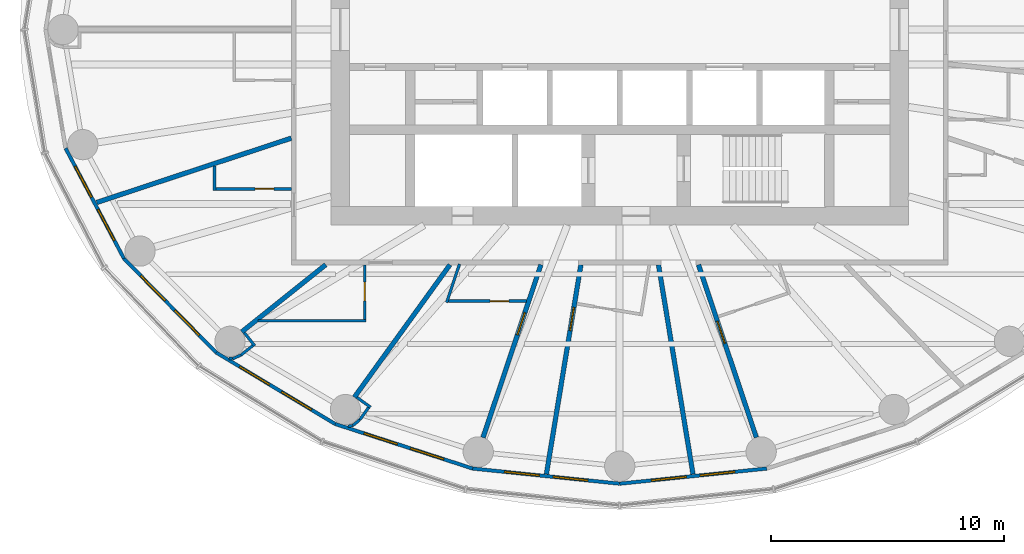
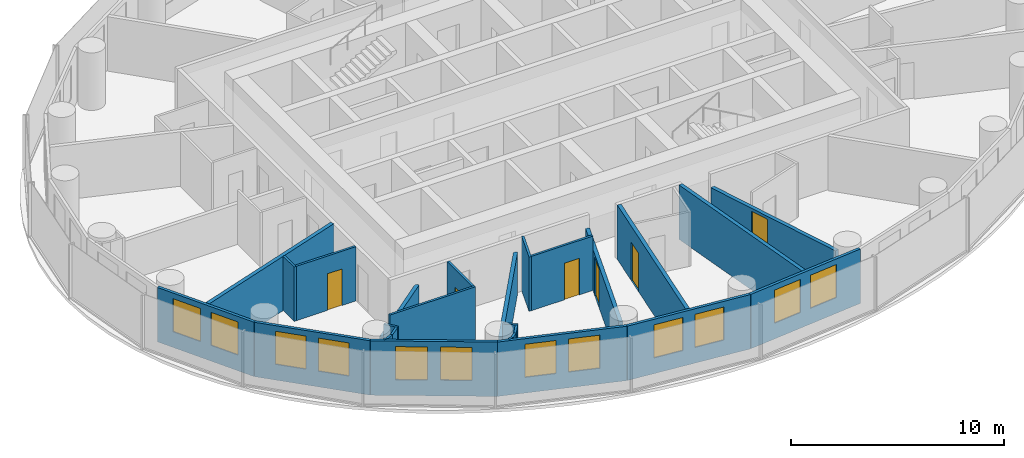
# One storey, part 6 of 13: 27 walls, 12 windows, 6 doors, 18 openings.
"""IFC4 building model written with IfcOpenShell, lengths in metres."""

from ifc_helpers import new_model, si_unit, direction, frame, frame_2d, origin, place, context, subcontext, project, spatial, rectangle, extrude, material, layer, layer_set, type_object, element, fill, save


model = new_model("IFC4")

# Units and contexts
model_context = context("Model", 3, precision=1e-05, world=origin(), true_north=direction((0.0, 1.0)))
body_context = subcontext(model_context, "Body", "Model", "MODEL_VIEW")
ifc_project = project(units=[si_unit("LENGTHUNIT", "METRE"), si_unit("AREAUNIT", "SQUARE_METRE"), si_unit("VOLUMEUNIT", "CUBIC_METRE"), si_unit("PLANEANGLEUNIT", "RADIAN"), si_unit("MASSUNIT", "GRAM", prefix="KILO")], contexts=[model_context])

# Site, building, storey
site_placement = place(None, origin())
site = spatial("IfcSite", under=ifc_project, at=site_placement, CompositionType="ELEMENT")
building_placement = place(site_placement, origin())
building = spatial("IfcBuilding", under=site, at=building_placement, Name="Hankou Lantern Tower", CompositionType="ELEMENT")
storey_placement = place(building_placement, frame((0.0, 0.0, 118.800048828125)))
storey = spatial("IfcBuildingStorey", under=building, at=storey_placement, Name="L30", CompositionType="ELEMENT", Elevation=118.800048828125)

# Wall, openings, windows
ifc_material_1 = material(Name="Aluminium spandrel panel on steel studs", Category="steel")
ifc_layer_1 = layer(ifc_material_1, 0.14990234375)
ifc_layer_set_1 = layer_set([ifc_layer_1], Name="Aluminium spandrel panel on steel studs")
wall_type_1 = type_object("IfcWallType", Name="EW1 INNER SKIN WALL 150", PredefinedType="ELEMENTEDWALL", material=ifc_layer_set_1)
wall_1_placement = place(storey_placement, frame((-23.7919921875, -5.10009765625, 0.0), z_axis=(0.0, 0.0, 1.0), x_axis=(0.467814388454, -0.883826735257, 0.0)))
wall_1 = element("IfcWall", 1, at=wall_1_placement, inside=storey, type_object=wall_type_1, Name="Inner skin R14-R15 L30", PredefinedType="ELEMENTEDWALL", context=body_context, shape_type="SweptSolid", body=[
    extrude(rectangle(XDim=5.35400390625, YDim=0.14990234375, at=frame_2d((2.677001953125, 0.0))), origin(), (0.0, 0.0, 1.0), 3.119873046875),
])
opening_1_placement = place(wall_1_placement, frame((0.876953125, 0.0, 0.89990234375)))
opening_1 = element("IfcOpeningElement", 2, at=opening_1_placement, cuts=wall_1, Name="Opening W2", PredefinedType="OPENING", context=body_context, shape_type="SweptSolid", body=[
    extrude(rectangle(XDim=1.5, YDim=1.89990234375, at=frame_2d((0.75, 0.949951171875))), frame((0.0, 0.0849609375, 0.0), z_axis=(0.0, -1.0, 0.0), x_axis=(1.0, 0.0, 0.0)), (0.0, 0.0, 1.0), 0.169921875),
])
opening_2_placement = place(wall_1_placement, frame((2.97705078125, 0.0, 0.89990234375)))
opening_2 = element("IfcOpeningElement", 3, at=opening_2_placement, cuts=wall_1, Name="Opening W2", PredefinedType="OPENING", context=body_context, shape_type="SweptSolid", body=[
    extrude(rectangle(XDim=1.5, YDim=1.89990234375, at=frame_2d((0.75, 0.949951171875))), frame((0.0, 0.0849609375, 0.0), z_axis=(0.0, -1.0, 0.0), x_axis=(1.0, 0.0, 0.0)), (0.0, 0.0, 1.0), 0.169921875),
])
ifc_material_2 = material(Name="Aluminium framed double glazed window", Category="aluminium")
window_type = type_object("IfcWindowType", Name="W2 GUEST ROOM WINDOW 1500X1900", PartitioningType="DOUBLE_PANEL_VERTICAL", PredefinedType="WINDOW", material=ifc_material_2)
window_1_placement = place(opening_1_placement, origin())
window_1 = element("IfcWindow", 4, at=window_1_placement, inside=storey, type_object=window_type, Name="Window R14.1 L30", OverallHeight=1.89990234375, OverallWidth=1.5, PartitioningType="SINGLE_PANEL", PredefinedType="WINDOW", context=body_context, shape_type="SweptSolid", body=[
    extrude(rectangle(XDim=1.5, YDim=1.89990234375, at=frame_2d((0.75, 0.949951171875))), frame((0.0, 0.030029296875, 0.0), z_axis=(0.0, -1.0, 0.0), x_axis=(1.0, 0.0, 0.0)), (0.0, 0.0, 1.0), 0.06005859375),
])
fill(opening_1, window_1)
window_2_placement = place(opening_2_placement, origin())
window_2 = element("IfcWindow", 5, at=window_2_placement, inside=storey, type_object=window_type, Name="Window R14.2 L30", OverallHeight=1.89990234375, OverallWidth=1.5, PartitioningType="SINGLE_PANEL", PredefinedType="WINDOW", context=body_context, shape_type="SweptSolid", body=[
    extrude(rectangle(XDim=1.5, YDim=1.89990234375, at=frame_2d((0.75, 0.949951171875))), frame((0.0, 0.030029296875, 0.0), z_axis=(0.0, -1.0, 0.0), x_axis=(1.0, 0.0, 0.0)), (0.0, 0.0, 1.0), 0.06005859375),
])
fill(opening_2, window_2)

wall_2_placement = place(storey_placement, frame((-21.287353515625, -9.83203125, 0.0), z_axis=(0.0, 0.0, 1.0), x_axis=(0.700136650834, -0.714008872605, 0.0)))
wall_2 = element("IfcWall", 6, at=wall_2_placement, inside=storey, type_object=wall_type_1, Name="Inner skin R15-R16 L30", PredefinedType="ELEMENTEDWALL", context=body_context, shape_type="SweptSolid", body=[
    extrude(rectangle(XDim=5.6494140625, YDim=0.14990234375, at=frame_2d((2.82470703125, 0.0))), origin(), (0.0, 0.0, 1.0), 3.119873046875),
])
opening_3_placement = place(wall_2_placement, frame((1.024658203125, 0.0, 0.89990234375)))
opening_3 = element("IfcOpeningElement", 7, at=opening_3_placement, cuts=wall_2, Name="Opening W2", PredefinedType="OPENING", context=body_context, shape_type="SweptSolid", body=[
    extrude(rectangle(XDim=1.5, YDim=1.89990234375, at=frame_2d((0.75, 0.949951171875))), frame((0.0, 0.0849609375, 0.0), z_axis=(0.0, -1.0, 0.0), x_axis=(1.0, 0.0, 0.0)), (0.0, 0.0, 1.0), 0.169921875),
])
opening_4_placement = place(wall_2_placement, frame((3.12451171875, 0.0, 0.89990234375)))
opening_4 = element("IfcOpeningElement", 8, at=opening_4_placement, cuts=wall_2, Name="Opening W2", PredefinedType="OPENING", context=body_context, shape_type="SweptSolid", body=[
    extrude(rectangle(XDim=1.5, YDim=1.89990234375, at=frame_2d((0.75, 0.949951171875))), frame((0.0, 0.0849609375, 0.0), z_axis=(0.0, -1.0, 0.0), x_axis=(1.0, 0.0, 0.0)), (0.0, 0.0, 1.0), 0.169921875),
])
window_3_placement = place(opening_3_placement, origin())
window_3 = element("IfcWindow", 9, at=window_3_placement, inside=storey, type_object=window_type, Name="Window R15.1 L30", OverallHeight=1.89990234375, OverallWidth=1.5, PartitioningType="SINGLE_PANEL", PredefinedType="WINDOW", context=body_context, shape_type="SweptSolid", body=[
    extrude(rectangle(XDim=1.5, YDim=1.89990234375, at=frame_2d((0.75, 0.949951171875))), frame((0.0, 0.030029296875, 0.0), z_axis=(0.0, -1.0, 0.0), x_axis=(1.0, 0.0, 0.0)), (0.0, 0.0, 1.0), 0.06005859375),
])
fill(opening_3, window_3)
window_4_placement = place(opening_4_placement, origin())
window_4 = element("IfcWindow", 10, at=window_4_placement, inside=storey, type_object=window_type, Name="Window R15.2 L30", OverallHeight=1.89990234375, OverallWidth=1.5, PartitioningType="SINGLE_PANEL", PredefinedType="WINDOW", context=body_context, shape_type="SweptSolid", body=[
    extrude(rectangle(XDim=1.5, YDim=1.89990234375, at=frame_2d((0.75, 0.949951171875))), frame((0.0, 0.030029296875, 0.0), z_axis=(0.0, -1.0, 0.0), x_axis=(1.0, 0.0, 0.0)), (0.0, 0.0, 1.0), 0.06005859375),
])
fill(opening_4, window_4)

wall_3_placement = place(storey_placement, frame((-17.33203125, -13.86572265625, 0.0), z_axis=(0.0, 0.0, 1.0), x_axis=(0.857308573723, -0.514802884044, 0.0)))
wall_3 = element("IfcWall", 11, at=wall_3_placement, inside=storey, type_object=wall_type_1, Name="Inner skin R16-R17 L30", PredefinedType="ELEMENTEDWALL", context=body_context, shape_type="SweptSolid", body=[
    extrude(rectangle(XDim=5.961181640625, YDim=0.14990234375, at=frame_2d((2.98046875, 0.0))), origin(), (0.0, 0.0, 1.0), 3.119873046875),
])
opening_5_placement = place(wall_3_placement, frame((1.1806640625, 0.0, 0.89990234375)))
opening_5 = element("IfcOpeningElement", 12, at=opening_5_placement, cuts=wall_3, Name="Opening W2", PredefinedType="OPENING", context=body_context, shape_type="SweptSolid", body=[
    extrude(rectangle(XDim=1.5, YDim=1.89990234375, at=frame_2d((0.75, 0.949951171875))), frame((0.0, 0.0849609375, 0.0), z_axis=(0.0, -1.0, 0.0), x_axis=(1.0, 0.0, 0.0)), (0.0, 0.0, 1.0), 0.169921875),
])
opening_6_placement = place(wall_3_placement, frame((3.280517578125, 0.0, 0.89990234375)))
opening_6 = element("IfcOpeningElement", 13, at=opening_6_placement, cuts=wall_3, Name="Opening W2", PredefinedType="OPENING", context=body_context, shape_type="SweptSolid", body=[
    extrude(rectangle(XDim=1.5, YDim=1.89990234375, at=frame_2d((0.75, 0.949951171875))), frame((0.0, 0.0849609375, 0.0), z_axis=(0.0, -1.0, 0.0), x_axis=(1.0, 0.0, 0.0)), (0.0, 0.0, 1.0), 0.169921875),
])
window_5_placement = place(opening_5_placement, origin())
window_5 = element("IfcWindow", 14, at=window_5_placement, inside=storey, type_object=window_type, Name="Window R16.1 L30", OverallHeight=1.89990234375, OverallWidth=1.5, PartitioningType="SINGLE_PANEL", PredefinedType="WINDOW", context=body_context, shape_type="SweptSolid", body=[
    extrude(rectangle(XDim=1.5, YDim=1.89990234375, at=frame_2d((0.75, 0.949951171875))), frame((0.0, 0.030029296875, 0.0), z_axis=(0.0, -1.0, 0.0), x_axis=(1.0, 0.0, 0.0)), (0.0, 0.0, 1.0), 0.06005859375),
])
fill(opening_5, window_5)
window_6_placement = place(opening_6_placement, origin())
window_6 = element("IfcWindow", 15, at=window_6_placement, inside=storey, type_object=window_type, Name="Window R16.2 L30", OverallHeight=1.89990234375, OverallWidth=1.5, PartitioningType="SINGLE_PANEL", PredefinedType="WINDOW", context=body_context, shape_type="SweptSolid", body=[
    extrude(rectangle(XDim=1.5, YDim=1.89990234375, at=frame_2d((0.75, 0.949951171875))), frame((0.0, 0.030029296875, 0.0), z_axis=(0.0, -1.0, 0.0), x_axis=(1.0, 0.0, 0.0)), (0.0, 0.0, 1.0), 0.06005859375),
])
fill(opening_6, window_6)

wall_4_placement = place(storey_placement, frame((-12.221435546875, -16.9345703125, 0.0), z_axis=(0.0, 0.0, 1.0), x_axis=(0.951272691506, -0.308350881944, 0.0)))
wall_4 = element("IfcWall", 16, at=wall_4_placement, inside=storey, type_object=wall_type_1, Name="Inner skin R17-R18 L30", PredefinedType="ELEMENTEDWALL", context=body_context, shape_type="SweptSolid", body=[
    extrude(rectangle(XDim=6.210693359375, YDim=0.14990234375, at=frame_2d((3.10546875, 0.0))), origin(), (0.0, 0.0, 1.0), 3.119873046875),
])
opening_7_placement = place(wall_4_placement, frame((1.305419921875, 0.0, 0.89990234375)))
opening_7 = element("IfcOpeningElement", 17, at=opening_7_placement, cuts=wall_4, Name="Opening W2", PredefinedType="OPENING", context=body_context, shape_type="SweptSolid", body=[
    extrude(rectangle(XDim=1.5, YDim=1.89990234375, at=frame_2d((0.75, 0.949951171875))), frame((0.0, 0.0849609375, 0.0), z_axis=(0.0, -1.0, 0.0), x_axis=(1.0, 0.0, 0.0)), (0.0, 0.0, 1.0), 0.169921875),
])
opening_8_placement = place(wall_4_placement, frame((3.4052734375, 0.0, 0.89990234375)))
opening_8 = element("IfcOpeningElement", 18, at=opening_8_placement, cuts=wall_4, Name="Opening W2", PredefinedType="OPENING", context=body_context, shape_type="SweptSolid", body=[
    extrude(rectangle(XDim=1.5, YDim=1.89990234375, at=frame_2d((0.75, 0.949951171875))), frame((0.0, 0.0849609375, 0.0), z_axis=(0.0, -1.0, 0.0), x_axis=(1.0, 0.0, 0.0)), (0.0, 0.0, 1.0), 0.169921875),
])
window_7_placement = place(opening_7_placement, origin())
window_7 = element("IfcWindow", 19, at=window_7_placement, inside=storey, type_object=window_type, Name="Window R17.1 L30", OverallHeight=1.89990234375, OverallWidth=1.5, PartitioningType="SINGLE_PANEL", PredefinedType="WINDOW", context=body_context, shape_type="SweptSolid", body=[
    extrude(rectangle(XDim=1.5, YDim=1.89990234375, at=frame_2d((0.75, 0.949951171875))), frame((0.0, 0.030029296875, 0.0), z_axis=(0.0, -1.0, 0.0), x_axis=(1.0, 0.0, 0.0)), (0.0, 0.0, 1.0), 0.06005859375),
])
fill(opening_7, window_7)
window_8_placement = place(opening_8_placement, origin())
window_8 = element("IfcWindow", 20, at=window_8_placement, inside=storey, type_object=window_type, Name="Window R17.2 L30", OverallHeight=1.89990234375, OverallWidth=1.5, PartitioningType="SINGLE_PANEL", PredefinedType="WINDOW", context=body_context, shape_type="SweptSolid", body=[
    extrude(rectangle(XDim=1.5, YDim=1.89990234375, at=frame_2d((0.75, 0.949951171875))), frame((0.0, 0.030029296875, 0.0), z_axis=(0.0, -1.0, 0.0), x_axis=(1.0, 0.0, 0.0)), (0.0, 0.0, 1.0), 0.06005859375),
])
fill(opening_8, window_8)

wall_5_placement = place(storey_placement, frame((-6.3134765625, -18.849609375, 0.0), z_axis=(0.0, 0.0, 1.0), x_axis=(0.994735690163, -0.102473931887, 0.0)))
wall_5 = element("IfcWall", 21, at=wall_5_placement, inside=storey, type_object=wall_type_1, Name="Inner skin R18-R19 L30", PredefinedType="ELEMENTEDWALL", context=body_context, shape_type="SweptSolid", body=[
    extrude(rectangle(XDim=6.346923828125, YDim=0.14990234375, at=frame_2d((3.17333984375, 0.0))), origin(), (0.0, 0.0, 1.0), 3.119873046875),
])
opening_9_placement = place(wall_5_placement, frame((1.373291015625, 0.0, 0.89990234375)))
opening_9 = element("IfcOpeningElement", 22, at=opening_9_placement, cuts=wall_5, Name="Opening W2", PredefinedType="OPENING", context=body_context, shape_type="SweptSolid", body=[
    extrude(rectangle(XDim=1.5, YDim=1.89990234375, at=frame_2d((0.75, 0.949951171875))), frame((0.0, 0.0849609375, 0.0), z_axis=(0.0, -1.0, 0.0), x_axis=(1.0, 0.0, 0.0)), (0.0, 0.0, 1.0), 0.169921875),
])
opening_10_placement = place(wall_5_placement, frame((3.473388671875, 0.0, 0.89990234375)))
opening_10 = element("IfcOpeningElement", 23, at=opening_10_placement, cuts=wall_5, Name="Opening W2", PredefinedType="OPENING", context=body_context, shape_type="SweptSolid", body=[
    extrude(rectangle(XDim=1.5, YDim=1.89990234375, at=frame_2d((0.75, 0.949951171875))), frame((0.0, 0.0849609375, 0.0), z_axis=(0.0, -1.0, 0.0), x_axis=(1.0, 0.0, 0.0)), (0.0, 0.0, 1.0), 0.169921875),
])
window_9_placement = place(opening_9_placement, origin())
window_9 = element("IfcWindow", 24, at=window_9_placement, inside=storey, type_object=window_type, Name="Window R18.1 L30", OverallHeight=1.89990234375, OverallWidth=1.5, PartitioningType="SINGLE_PANEL", PredefinedType="WINDOW", context=body_context, shape_type="SweptSolid", body=[
    extrude(rectangle(XDim=1.5, YDim=1.89990234375, at=frame_2d((0.75, 0.949951171875))), frame((0.0, 0.030029296875, 0.0), z_axis=(0.0, -1.0, 0.0), x_axis=(1.0, 0.0, 0.0)), (0.0, 0.0, 1.0), 0.06005859375),
])
fill(opening_9, window_9)
window_10_placement = place(opening_10_placement, origin())
window_10 = element("IfcWindow", 25, at=window_10_placement, inside=storey, type_object=window_type, Name="Window R18.2 L30", OverallHeight=1.89990234375, OverallWidth=1.5, PartitioningType="SINGLE_PANEL", PredefinedType="WINDOW", context=body_context, shape_type="SweptSolid", body=[
    extrude(rectangle(XDim=1.5, YDim=1.89990234375, at=frame_2d((0.75, 0.949951171875))), frame((0.0, 0.030029296875, 0.0), z_axis=(0.0, -1.0, 0.0), x_axis=(1.0, 0.0, 0.0)), (0.0, 0.0, 1.0), 0.06005859375),
])
fill(opening_10, window_10)

wall_6_placement = place(storey_placement, frame((0.0, -19.5, 0.0), z_axis=(0.0, 0.0, 1.0), x_axis=(0.994735690163, 0.102473931887, 0.0)))
wall_6 = element("IfcWall", 26, at=wall_6_placement, inside=storey, type_object=wall_type_1, Name="Inner skin R19-R20 L30", PredefinedType="ELEMENTEDWALL", context=body_context, shape_type="SweptSolid", body=[
    extrude(rectangle(XDim=6.346923828125, YDim=0.14990234375, at=frame_2d((3.17333984375, 0.0))), origin(), (0.0, 0.0, 1.0), 3.119873046875),
])
opening_11_placement = place(wall_6_placement, frame((1.373291015625, 0.0, 0.89990234375)))
opening_11 = element("IfcOpeningElement", 27, at=opening_11_placement, cuts=wall_6, Name="Opening W2", PredefinedType="OPENING", context=body_context, shape_type="SweptSolid", body=[
    extrude(rectangle(XDim=1.5, YDim=1.89990234375, at=frame_2d((0.75, 0.949951171875))), frame((0.0, 0.0849609375, 0.0), z_axis=(0.0, -1.0, 0.0), x_axis=(1.0, 0.0, 0.0)), (0.0, 0.0, 1.0), 0.169921875),
])
opening_12_placement = place(wall_6_placement, frame((3.473388671875, 0.0, 0.89990234375)))
opening_12 = element("IfcOpeningElement", 28, at=opening_12_placement, cuts=wall_6, Name="Opening W2", PredefinedType="OPENING", context=body_context, shape_type="SweptSolid", body=[
    extrude(rectangle(XDim=1.5, YDim=1.89990234375, at=frame_2d((0.75, 0.949951171875))), frame((0.0, 0.0849609375, 0.0), z_axis=(0.0, -1.0, 0.0), x_axis=(1.0, 0.0, 0.0)), (0.0, 0.0, 1.0), 0.169921875),
])
window_11_placement = place(opening_11_placement, origin())
window_11 = element("IfcWindow", 29, at=window_11_placement, inside=storey, type_object=window_type, Name="Window R19.1 L30", OverallHeight=1.89990234375, OverallWidth=1.5, PartitioningType="SINGLE_PANEL", PredefinedType="WINDOW", context=body_context, shape_type="SweptSolid", body=[
    extrude(rectangle(XDim=1.5, YDim=1.89990234375, at=frame_2d((0.75, 0.949951171875))), frame((0.0, 0.030029296875, 0.0), z_axis=(0.0, -1.0, 0.0), x_axis=(1.0, 0.0, 0.0)), (0.0, 0.0, 1.0), 0.06005859375),
])
fill(opening_11, window_11)
window_12_placement = place(opening_12_placement, origin())
window_12 = element("IfcWindow", 30, at=window_12_placement, inside=storey, type_object=window_type, Name="Window R19.2 L30", OverallHeight=1.89990234375, OverallWidth=1.5, PartitioningType="SINGLE_PANEL", PredefinedType="WINDOW", context=body_context, shape_type="SweptSolid", body=[
    extrude(rectangle(XDim=1.5, YDim=1.89990234375, at=frame_2d((0.75, 0.949951171875))), frame((0.0, 0.030029296875, 0.0), z_axis=(0.0, -1.0, 0.0), x_axis=(1.0, 0.0, 0.0)), (0.0, 0.0, 1.0), 0.06005859375),
])
fill(opening_12, window_12)

# Walls
ifc_material_3 = material(Name="Masonry lightweight concrete block", Category="masonry")
ifc_layer_2 = layer(ifc_material_3, 0.199951171875)
ifc_layer_set_2 = layer_set([ifc_layer_2], Name="Masonry lightweight concrete block")
wall_type_2 = type_object("IfcWallType", Name="IW1 GUEST ROOM PARTY WALL 200", PredefinedType="PARTITIONING", material=ifc_layer_set_2)
wall_7_placement = place(storey_placement, frame((-14.10009765625, -4.662353515625, 0.0), z_axis=(0.0, 0.0, 1.0), x_axis=(-0.949446466373, -0.313928984789, 0.0)))
element("IfcWall", 31, at=wall_7_placement, inside=storey, type_object=wall_type_2, Name="Party wall R14-R15", PredefinedType="PARTITIONING", context=body_context, shape_type="SweptSolid", body=[
    extrude(rectangle(XDim=8.79736328125, YDim=0.199951171875, at=frame_2d((4.398681640625, 0.0))), origin(), (0.0, 0.0, 1.0), 3.119873046875),
])
wall_8_placement = place(storey_placement, frame((-12.625, -10.10009765625, 0.0), z_axis=(0.0, 0.0, 1.0), x_axis=(-0.780863644897, -0.624701503182, 0.0)))
element("IfcWall", 32, at=wall_8_placement, inside=storey, type_object=wall_type_2, Name="Party wall R16", PredefinedType="PARTITIONING", context=body_context, shape_type="SweptSolid", body=[
    extrude(rectangle(XDim=4.612060546875, YDim=0.199951171875, at=frame_2d((2.30615234375, 0.0))), origin(), (0.0, 0.0, 1.0), 2.369873046875),
])
wall_9_placement = place(storey_placement, frame((-7.2890625, -10.10009765625, 0.0), z_axis=(0.0, 0.0, 1.0), x_axis=(-0.585217367024, -0.81087645997, 0.0)))
element("IfcWall", 33, at=wall_9_placement, inside=storey, type_object=wall_type_2, Name="Party wall R17", PredefinedType="PARTITIONING", context=body_context, shape_type="SweptSolid", body=[
    extrude(rectangle(XDim=7.01611328125, YDim=0.199951171875, at=frame_2d((3.508056640625, 0.0))), origin(), (0.0, 0.0, 1.0), 2.369873046875),
])

# Wall, opening, door
ifc_material_4 = material(Name="Masonry lightweight concrete block", Category="masonry")
ifc_layer_3 = layer(ifc_material_4, 0.199951171875)
ifc_layer_set_3 = layer_set([ifc_layer_3], Name="Masonry lightweight concrete block")
wall_type_3 = type_object("IfcWallType", Name="IW2 CORRIDOR WALL 200", PredefinedType="PARTITIONING", material=ifc_layer_set_3)
wall_10_placement = place(storey_placement, frame((-3.3828125, -10.10009765625, 0.0), z_axis=(0.0, 0.0, 1.0), x_axis=(-0.317603705574, -0.948223542318, 0.0)))
wall_10 = element("IfcWall", 34, at=wall_10_placement, inside=storey, type_object=wall_type_3, Name="Corridor spur wall R18", PredefinedType="PARTITIONING", context=body_context, shape_type="SweptSolid", body=[
    extrude(rectangle(XDim=7.822998046875, YDim=0.199951171875, at=frame_2d((3.91162109375, 0.0))), origin(), (0.0, 0.0, 1.0), 2.369873046875),
])
opening_13_placement = place(wall_10_placement, frame((2.168212890625, 0.0, 0.0)))
opening_13 = element("IfcOpeningElement", 35, at=opening_13_placement, cuts=wall_10, Name="Opening D1", PredefinedType="OPENING", context=body_context, shape_type="SweptSolid", body=[
    extrude(rectangle(XDim=1.0, YDim=2.199951171875, at=frame_2d((0.5, 1.10009765625))), frame((0.0, 0.10986328125, 0.0), z_axis=(0.0, -1.0, 0.0), x_axis=(1.0, 0.0, 0.0)), (0.0, 0.0, 1.0), 0.219970703125),
])
ifc_material_5 = material(Name="Steel door leaf", Category="steel")
door_type_1 = type_object("IfcDoorType", Name="D1 GUEST ROOM DOOR 1000X2200", OperationType="SINGLE_SWING_LEFT", PredefinedType="DOOR", material=ifc_material_5)
door_1_placement = place(opening_13_placement, origin())
door_1 = element("IfcDoor", 36, at=door_1_placement, inside=storey, type_object=door_type_1, Name="Guest room door 3010", OperationType="SINGLE_SWING_LEFT", OverallHeight=2.199951171875, OverallWidth=1.0, PredefinedType="DOOR", context=body_context, shape_type="SweptSolid", body=[
    extrude(rectangle(XDim=1.0, YDim=2.199951171875, at=frame_2d((0.5, 1.10009765625))), frame((0.0, 0.02490234375, 0.0), z_axis=(0.0, -1.0, 0.0), x_axis=(1.0, 0.0, 0.0)), (0.0, 0.0, 1.0), 0.050048828125),
])
fill(opening_13, door_1)

wall_11_placement = place(storey_placement, frame((-1.665283203125, -10.10009765625, 0.0), z_axis=(0.0, 0.0, 1.0), x_axis=(-0.162660519103, -0.986682094459, 0.0)))
wall_11 = element("IfcWall", 37, at=wall_11_placement, inside=storey, type_object=wall_type_3, Name="Corridor spur wall R18-R19", PredefinedType="PARTITIONING", context=body_context, shape_type="SweptSolid", body=[
    extrude(rectangle(XDim=9.110595703125, YDim=0.199951171875, at=frame_2d((4.55517578125, 0.0))), origin(), (0.0, 0.0, 1.0), 3.119873046875),
])
opening_14_placement = place(wall_11_placement, frame((1.860107421875, 0.0, 0.0)))
opening_14 = element("IfcOpeningElement", 38, at=opening_14_placement, cuts=wall_11, Name="Opening D1", PredefinedType="OPENING", context=body_context, shape_type="SweptSolid", body=[
    extrude(rectangle(XDim=1.0, YDim=2.199951171875, at=frame_2d((0.5, 1.10009765625))), frame((0.0, 0.10986328125, 0.0), z_axis=(0.0, -1.0, 0.0), x_axis=(1.0, 0.0, 0.0)), (0.0, 0.0, 1.0), 0.219970703125),
])
door_2_placement = place(opening_14_placement, origin())
door_2 = element("IfcDoor", 39, at=door_2_placement, inside=storey, type_object=door_type_1, Name="Guest room door 3012", OperationType="SINGLE_SWING_LEFT", OverallHeight=2.199951171875, OverallWidth=1.0, PredefinedType="DOOR", context=body_context, shape_type="SweptSolid", body=[
    extrude(rectangle(XDim=1.0, YDim=2.199951171875, at=frame_2d((0.5, 1.10009765625))), frame((0.0, 0.02490234375, 0.0), z_axis=(0.0, -1.0, 0.0), x_axis=(1.0, 0.0, 0.0)), (0.0, 0.0, 1.0), 0.050048828125),
])
fill(opening_14, door_2)

# Wall
wall_12_placement = place(storey_placement, frame((1.665283203125, -10.10009765625, 0.0), z_axis=(0.0, 0.0, 1.0), x_axis=(0.162660519103, -0.986682094459, 0.0)))
element("IfcWall", 40, at=wall_12_placement, inside=storey, type_object=wall_type_3, Name="Corridor spur wall R19-R20", PredefinedType="PARTITIONING", context=body_context, shape_type="SweptSolid", body=[
    extrude(rectangle(XDim=9.110595703125, YDim=0.199951171875, at=frame_2d((4.55517578125, 0.0))), origin(), (0.0, 0.0, 1.0), 3.119873046875),
])

# Wall, opening, door
wall_13_placement = place(storey_placement, frame((3.3828125, -10.10009765625, 0.0), z_axis=(0.0, 0.0, 1.0), x_axis=(0.317603705574, -0.948223542318, 0.0)))
wall_13 = element("IfcWall", 41, at=wall_13_placement, inside=storey, type_object=wall_type_3, Name="Corridor spur wall R20", PredefinedType="PARTITIONING", context=body_context, shape_type="SweptSolid", body=[
    extrude(rectangle(XDim=7.822998046875, YDim=0.199951171875, at=frame_2d((3.91162109375, 0.0))), origin(), (0.0, 0.0, 1.0), 2.369873046875),
])
opening_15_placement = place(wall_13_placement, frame((2.56005859375, 0.0, 0.0)))
opening_15 = element("IfcOpeningElement", 42, at=opening_15_placement, cuts=wall_13, Name="Opening D1", PredefinedType="OPENING", context=body_context, shape_type="SweptSolid", body=[
    extrude(rectangle(XDim=1.0, YDim=2.199951171875, at=frame_2d((0.5, 1.10009765625))), frame((0.0, 0.10986328125, 0.0), z_axis=(0.0, -1.0, 0.0), x_axis=(1.0, 0.0, 0.0)), (0.0, 0.0, 1.0), 0.219970703125),
])
door_3_placement = place(opening_15_placement, origin())
door_3 = element("IfcDoor", 43, at=door_3_placement, inside=storey, type_object=door_type_1, Name="Guest room door 3014", OperationType="SINGLE_SWING_LEFT", OverallHeight=2.199951171875, OverallWidth=1.0, PredefinedType="DOOR", context=body_context, shape_type="SweptSolid", body=[
    extrude(rectangle(XDim=1.0, YDim=2.199951171875, at=frame_2d((0.5, 1.10009765625))), frame((0.0, 0.02490234375, 0.0), z_axis=(0.0, -1.0, 0.0), x_axis=(1.0, 0.0, 0.0)), (0.0, 0.0, 1.0), 0.050048828125),
])
fill(opening_15, door_3)

# Wall
ifc_material_6 = material(Name="Masonry lightweight concrete block", Category="masonry")
ifc_layer_4 = layer(ifc_material_6, 0.1201171875)
ifc_layer_set_4 = layer_set([ifc_layer_4], Name="Masonry lightweight concrete block")
wall_type_4 = type_object("IfcWallType", Name="IW3 BATHROOM WALL 120", PredefinedType="PARTITIONING", material=ifc_layer_set_4)
wall_14_placement = place(storey_placement, frame((-17.39990234375, -5.853515625, 0.0), z_axis=(0.0, 0.0, 1.0), x_axis=(0.0, -1.0, 0.0)))
element("IfcWall", 44, at=wall_14_placement, inside=storey, type_object=wall_type_4, Name="Box wall 3008 1", PredefinedType="PARTITIONING", context=body_context, shape_type="SweptSolid", body=[
    extrude(rectangle(XDim=1.048828125, YDim=0.1201171875, at=frame_2d((0.5244140625, 0.0))), origin(), (0.0, 0.0, 1.0), 3.119873046875),
])

# Wall, opening, door
wall_15_placement = place(storey_placement, frame((-14.10009765625, -6.84228515625, 0.0), z_axis=(0.0, 0.0, 1.0), x_axis=(-1.0, 0.0, 0.0)))
wall_15 = element("IfcWall", 45, at=wall_15_placement, inside=storey, type_object=wall_type_4, Name="Box wall 3008 1", PredefinedType="PARTITIONING", context=body_context, shape_type="SweptSolid", body=[
    extrude(rectangle(XDim=3.239990234375, YDim=0.1201171875, at=frame_2d((1.6201171875, 0.0))), origin(), (0.0, 0.0, 1.0), 3.119873046875),
])
opening_16_placement = place(wall_15_placement, frame((0.75, 0.0, 0.0)))
opening_16 = element("IfcOpeningElement", 46, at=opening_16_placement, cuts=wall_15, Name="Opening D3", PredefinedType="OPENING", context=body_context, shape_type="SweptSolid", body=[
    extrude(rectangle(XDim=0.800048828125, YDim=2.10009765625, at=frame_2d((0.39990234375, 1.050048828125))), frame((0.0, 0.070068359375, 0.0), z_axis=(0.0, -1.0, 0.0), x_axis=(1.0, 0.0, 0.0)), (0.0, 0.0, 1.0), 0.14013671875),
])
ifc_material_7 = material(Name="Timber door leaf", Category="wood")
door_type_2 = type_object("IfcDoorType", Name="D3 BATHROOM DOOR 800X2100", OperationType="SINGLE_SWING_LEFT", PredefinedType="DOOR", material=ifc_material_7)
door_4_placement = place(opening_16_placement, origin())
door_4 = element("IfcDoor", 47, at=door_4_placement, inside=storey, type_object=door_type_2, Name="En-suite bathroom 3008 door", OperationType="SINGLE_SWING_LEFT", OverallHeight=2.10009765625, OverallWidth=0.800048828125, PredefinedType="DOOR", context=body_context, shape_type="SweptSolid", body=[
    extrude(rectangle(XDim=0.800048828125, YDim=2.10009765625, at=frame_2d((0.39990234375, 1.050048828125))), frame((0.0, 0.02490234375, 0.0), z_axis=(0.0, -1.0, 0.0), x_axis=(1.0, 0.0, 0.0)), (0.0, 0.0, 1.0), 0.050048828125),
])
fill(opening_16, door_4)

# Wall
wall_16_placement = place(storey_placement, frame((-15.52490234375, -12.5, 0.0), z_axis=(0.0, 0.0, 1.0), x_axis=(1.0, 0.0, 0.0)))
element("IfcWall", 48, at=wall_16_placement, inside=storey, type_object=wall_type_4, Name="Box wall 3009 1", PredefinedType="PARTITIONING", context=body_context, shape_type="SweptSolid", body=[
    extrude(rectangle(XDim=4.639892578125, YDim=0.1201171875, at=frame_2d((2.31982421875, 0.0))), origin(), (0.0, 0.0, 1.0), 3.119873046875),
])

# Wall, opening, door
wall_17_placement = place(storey_placement, frame((-10.945068359375, -10.10009765625, 0.0), z_axis=(0.0, 0.0, 1.0), x_axis=(0.0, -1.0, 0.0)))
wall_17 = element("IfcWall", 49, at=wall_17_placement, inside=storey, type_object=wall_type_4, Name="Box wall 3009 1", PredefinedType="PARTITIONING", context=body_context, shape_type="SweptSolid", body=[
    extrude(rectangle(XDim=2.33984375, YDim=0.1201171875, at=frame_2d((1.169921875, 0.0))), origin(), (0.0, 0.0, 1.0), 3.119873046875),
])
opening_17_placement = place(wall_17_placement, frame((0.75, 0.0, 0.0)))
opening_17 = element("IfcOpeningElement", 50, at=opening_17_placement, cuts=wall_17, Name="Opening D3", PredefinedType="OPENING", context=body_context, shape_type="SweptSolid", body=[
    extrude(rectangle(XDim=0.800048828125, YDim=2.10009765625, at=frame_2d((0.39990234375, 1.050048828125))), frame((0.0, 0.070068359375, 0.0), z_axis=(0.0, -1.0, 0.0), x_axis=(1.0, 0.0, 0.0)), (0.0, 0.0, 1.0), 0.14013671875),
])
door_5_placement = place(opening_17_placement, origin())
door_5 = element("IfcDoor", 51, at=door_5_placement, inside=storey, type_object=door_type_2, Name="En-suite bathroom 3009 door", OperationType="SINGLE_SWING_LEFT", OverallHeight=2.10009765625, OverallWidth=0.800048828125, PredefinedType="DOOR", context=body_context, shape_type="SweptSolid", body=[
    extrude(rectangle(XDim=0.800048828125, YDim=2.10009765625, at=frame_2d((0.39990234375, 1.050048828125))), frame((0.0, 0.02490234375, 0.0), z_axis=(0.0, -1.0, 0.0), x_axis=(1.0, 0.0, 0.0)), (0.0, 0.0, 1.0), 0.050048828125),
])
fill(opening_17, door_5)

# Wall
wall_18_placement = place(storey_placement, frame((-6.877685546875, -10.068359375, 0.0), z_axis=(0.0, 0.0, 1.0), x_axis=(-0.317532394508, -0.948247424694, 0.0)))
element("IfcWall", 52, at=wall_18_placement, inside=storey, type_object=wall_type_4, Name="Box wall 3010 1", PredefinedType="PARTITIONING", context=body_context, shape_type="SweptSolid", body=[
    extrude(rectangle(XDim=1.739990234375, YDim=0.1201171875, at=frame_2d((0.8701171875, 0.0))), origin(), (0.0, 0.0, 1.0), 3.119873046875),
])

# Wall, opening, door
wall_19_placement = place(storey_placement, frame((-4.01123046875, -11.661376953125, 0.0), z_axis=(0.0, 0.0, 1.0), x_axis=(-1.0, 0.0, 0.0)))
wall_19 = element("IfcWall", 53, at=wall_19_placement, inside=storey, type_object=wall_type_4, Name="Box wall 3010 1", PredefinedType="PARTITIONING", context=body_context, shape_type="SweptSolid", body=[
    extrude(rectangle(XDim=3.340087890625, YDim=0.1201171875, at=frame_2d((1.669921875, 0.0))), origin(), (0.0, 0.0, 1.0), 3.119873046875),
])
opening_18_placement = place(wall_19_placement, frame((0.75, 0.0, 0.0)))
opening_18 = element("IfcOpeningElement", 54, at=opening_18_placement, cuts=wall_19, Name="Opening D3", PredefinedType="OPENING", context=body_context, shape_type="SweptSolid", body=[
    extrude(rectangle(XDim=0.800048828125, YDim=2.10009765625, at=frame_2d((0.39990234375, 1.050048828125))), frame((0.0, 0.070068359375, 0.0), z_axis=(0.0, -1.0, 0.0), x_axis=(1.0, 0.0, 0.0)), (0.0, 0.0, 1.0), 0.14013671875),
])
door_6_placement = place(opening_18_placement, origin())
door_6 = element("IfcDoor", 55, at=door_6_placement, inside=storey, type_object=door_type_2, Name="En-suite bathroom 3010 door", OperationType="SINGLE_SWING_LEFT", OverallHeight=2.10009765625, OverallWidth=0.800048828125, PredefinedType="DOOR", context=body_context, shape_type="SweptSolid", body=[
    extrude(rectangle(XDim=0.800048828125, YDim=2.10009765625, at=frame_2d((0.39990234375, 1.050048828125))), frame((0.0, 0.02490234375, 0.0), z_axis=(0.0, -1.0, 0.0), x_axis=(1.0, 0.0, 0.0)), (0.0, 0.0, 1.0), 0.050048828125),
])
fill(opening_18, door_6)

# Walls
ifc_material_8 = material(Name="Masonry lightweight concrete block", Category="masonry")
ifc_layer_5 = layer(ifc_material_8, 0.1201171875)
ifc_layer_set_5 = layer_set([ifc_layer_5], Name="Masonry lightweight concrete block")
wall_type_5 = type_object("IfcWallType", Name="IW4 PARTITION 120", PredefinedType="PARTITIONING", material=ifc_layer_set_5)
wall_20_placement = place(storey_placement, frame((-16.116943359375, -13.021728515625, 0.0), z_axis=(0.0, 0.0, 1.0), x_axis=(0.62465344249, -0.780902091677, 0.0)))
element("IfcWall", 56, at=wall_20_placement, inside=storey, type_object=wall_type_5, Name="Column casing R16 return", PredefinedType="PARTITIONING", context=body_context, shape_type="SweptSolid", body=[
    extrude(rectangle(XDim=0.715576171875, YDim=0.1201171875, at=frame_2d((0.35791015625, 0.0))), origin(), (0.0, 0.0, 1.0), 3.119873046875),
])
wall_21_placement = place(storey_placement, frame((-15.754150390625, -13.5712890625, 0.0), z_axis=(0.0, 0.0, 1.0), x_axis=(-0.780905453553, -0.624649239663, 0.0)))
element("IfcWall", 57, at=wall_21_placement, inside=storey, type_object=wall_type_5, Name="Column casing R16", PredefinedType="PARTITIONING", context=body_context, shape_type="SweptSolid", body=[
    extrude(rectangle(XDim=0.64990234375, YDim=0.1201171875, at=frame_2d((0.324951171875, 0.0))), origin(), (0.0, 0.0, 1.0), 3.119873046875),
])
wall_22_placement = place(storey_placement, frame((-16.26171875, -13.977294921875, 0.0), z_axis=(0.0, 0.0, 1.0), x_axis=(-0.915985403703, -0.401211590314, 0.0)))
element("IfcWall", 58, at=wall_22_placement, inside=storey, type_object=wall_type_5, Name="Column casing R16", PredefinedType="PARTITIONING", context=body_context, shape_type="SweptSolid", body=[
    extrude(rectangle(XDim=0.391357421875, YDim=0.1201171875, at=frame_2d((0.19580078125, 0.0))), origin(), (0.0, 0.0, 1.0), 3.119873046875),
])
wall_23_placement = place(storey_placement, frame((-16.6201171875, -14.13427734375, 0.0), z_axis=(0.0, 0.0, 1.0), x_axis=(-0.993941871493, 0.109907033867, 0.0)))
element("IfcWall", 59, at=wall_23_placement, inside=storey, type_object=wall_type_5, Name="Column casing R16", PredefinedType="PARTITIONING", context=body_context, shape_type="SweptSolid", body=[
    extrude(rectangle(XDim=0.1533203125, YDim=0.1201171875, at=frame_2d((0.07666015625, 0.0))), origin(), (0.0, 0.0, 1.0), 3.119873046875),
])
wall_24_placement = place(storey_placement, frame((-11.27880859375, -15.799072265625, 0.0), z_axis=(0.0, 0.0, 1.0), x_axis=(0.810912957127, -0.585166793285, 0.0)))
element("IfcWall", 60, at=wall_24_placement, inside=storey, type_object=wall_type_5, Name="Column casing R17 return", PredefinedType="PARTITIONING", context=body_context, shape_type="SweptSolid", body=[
    extrude(rectangle(XDim=0.7158203125, YDim=0.1201171875, at=frame_2d((0.35791015625, 0.0))), origin(), (0.0, 0.0, 1.0), 3.119873046875),
])
wall_25_placement = place(storey_placement, frame((-10.781982421875, -16.2314453125, 0.0), z_axis=(0.0, 0.0, 1.0), x_axis=(-0.585175102182, -0.810906961239, 0.0)))
element("IfcWall", 61, at=wall_25_placement, inside=storey, type_object=wall_type_5, Name="Column casing R17", PredefinedType="PARTITIONING", context=body_context, shape_type="SweptSolid", body=[
    extrude(rectangle(XDim=0.64990234375, YDim=0.1201171875, at=frame_2d((0.324951171875, 0.0))), origin(), (0.0, 0.0, 1.0), 3.119873046875),
])
wall_26_placement = place(storey_placement, frame((-11.162353515625, -16.758544921875, 0.0), z_axis=(0.0, 0.0, 1.0), x_axis=(-0.775178428527, -0.63174235567, 0.0)))
element("IfcWall", 62, at=wall_26_placement, inside=storey, type_object=wall_type_5, Name="Column casing R17", PredefinedType="PARTITIONING", context=body_context, shape_type="SweptSolid", body=[
    extrude(rectangle(XDim=0.3916015625, YDim=0.1201171875, at=frame_2d((0.19580078125, 0.0))), origin(), (0.0, 0.0, 1.0), 3.119873046875),
])
wall_27_placement = place(storey_placement, frame((-11.4658203125, -17.005859375, 0.0), z_axis=(0.0, 0.0, 1.0), x_axis=(-0.987228877621, -0.15930832744, 0.0)))
element("IfcWall", 63, at=wall_27_placement, inside=storey, type_object=wall_type_5, Name="Column casing R17", PredefinedType="PARTITIONING", context=body_context, shape_type="SweptSolid", body=[
    extrude(rectangle(XDim=0.202392578125, YDim=0.1201171875, at=frame_2d((0.10107421875, 0.0))), origin(), (0.0, 0.0, 1.0), 3.119873046875),
])

save(model, "model.ifc")
